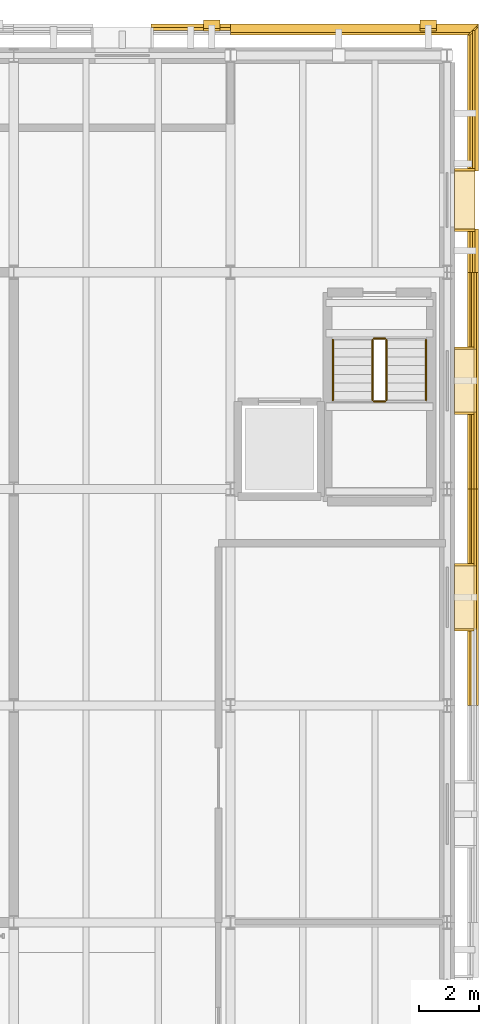
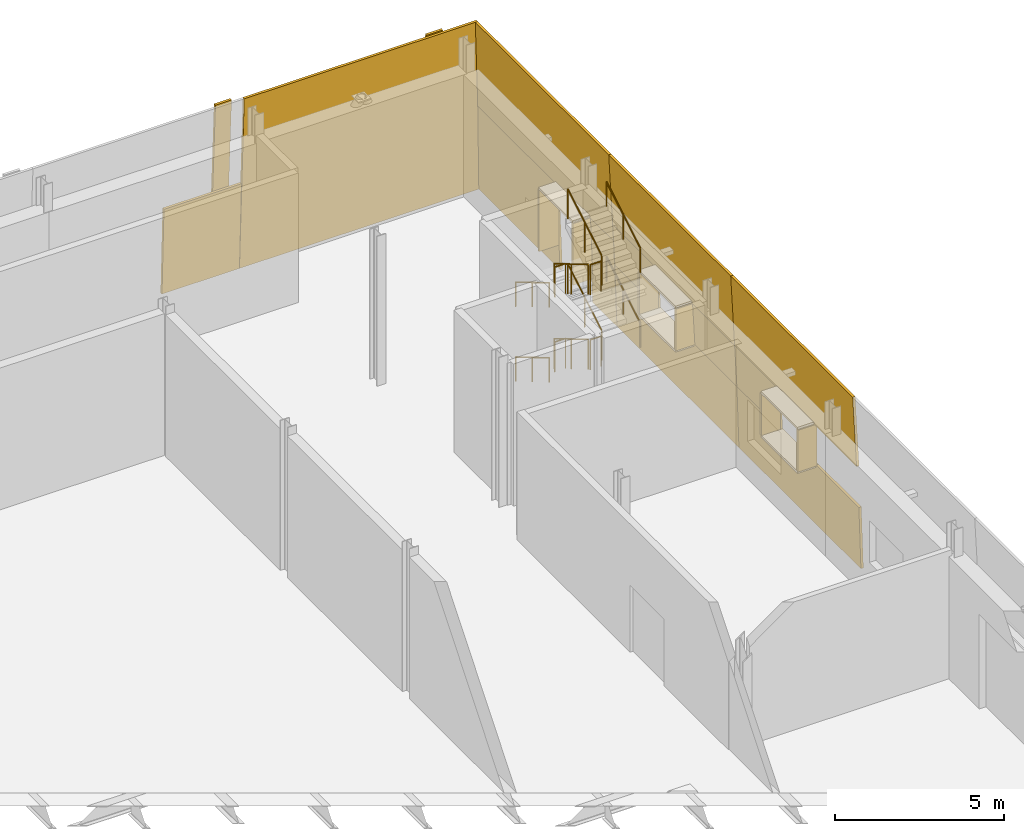
# One storey, part 119 of 120: 25 coverings, 12 railings.
"""IFC4 building model written with IfcOpenShell, lengths in metres."""

from ifc_helpers import new_model, si_unit, direction, frame, origin, origin_2d, place, context, subcontext, project, spatial, polyline, circle, outline, extrude, material, layer, layer_set, type_object, element, save


model = new_model("IFC4")

# Units and contexts
model_context = context("Model", 3, precision=1e-05, world=origin(), true_north=direction((0.0, 1.0)))
body_context = subcontext(model_context, "Body", "Model", "MODEL_VIEW")
ifc_project = project(units=[si_unit("LENGTHUNIT", "METRE"), si_unit("AREAUNIT", "SQUARE_METRE"), si_unit("VOLUMEUNIT", "CUBIC_METRE"), si_unit("PLANEANGLEUNIT", "RADIAN"), si_unit("MASSUNIT", "GRAM", prefix="KILO")], contexts=[model_context])

# Site, building, storey
site_placement = place(None, origin())
site = spatial("IfcSite", under=ifc_project, at=site_placement, CompositionType="ELEMENT")
building_placement = place(site_placement, origin())
building = spatial("IfcBuilding", under=site, at=building_placement, Name="Narikvali Park Central Library", CompositionType="ELEMENT")
storey_placement = place(building_placement, origin())
storey = spatial("IfcBuildingStorey", under=building, at=storey_placement, Name="L00", CompositionType="ELEMENT", Elevation=0.0)

# Coverings
ifc_material_1 = material(Name="White Honed Limestone Cladding", Category="masonry")
ifc_layer_1 = layer(ifc_material_1, 0.0849609375, Name="White Honed Limestone Cladding")
ifc_layer_set_1 = layer_set([ifc_layer_1], Name="White Honed Limestone Cladding")
covering_type_1 = type_object("IfcCoveringType", Name="Battered White Limestone Facade Cladding Panel", PredefinedType="CLADDING", material=ifc_layer_set_1)
covering_1_placement = place(storey_placement, frame((166.639892578125, 93.60009765625, -0.8798828125), z_axis=(0.999503282697, 0.0, 0.031514883448), x_axis=(0.0, 1.0, 0.0)))
element("IfcCovering", 1, at=covering_1_placement, inside=storey, type_object=covering_type_1, Name="V3 L00 E Battered Limestone Spandrel B03", PredefinedType="CLADDING", context=body_context, shape_type="SweptSolid", body=[
    extrude(outline(polyline([(0.0, 0.0), (7.199951171875, 0.0), (7.199951171875, 2.2310886891073425), (0.0, 2.2310886891073425), (0.0, 0.0)])), origin(), (0.0, 0.0, -1.0), 0.0849609375),
])
covering_2_placement = place(storey_placement, frame((166.491455078125, 93.60009765625, 2.85009765625), z_axis=(0.998646209492, 0.0, 0.052016807542), x_axis=(0.0, 1.0, 0.0)))
element("IfcCovering", 2, at=covering_2_placement, inside=storey, type_object=covering_type_1, Name="V3 L00 E Battered Limestone Lintel B03", PredefinedType="CLADDING", context=body_context, shape_type="SweptSolid", body=[
    extrude(outline(polyline([(0.0, 0.0), (7.199951171875, 0.0), (7.199951171875, 2.5532612683689897), (0.0, 2.5532612683689897), (0.0, 0.0)])), origin(), (0.0, 0.0, -1.0), 0.0849609375),
])
covering_3_placement = place(storey_placement, frame((166.569580078125, 98.239990234375, 1.35009765625), z_axis=(0.998646416446, 0.0, 0.05201283419), x_axis=(0.0, 1.0, 0.0)))
element("IfcCovering", 3, at=covering_3_placement, inside=storey, type_object=covering_type_1, Name="V3 L00 E Battered Limestone Jamb Pier R B03", PredefinedType="CLADDING", context=body_context, shape_type="SweptSolid", body=[
    extrude(outline(polyline([(0.0, 0.0), (2.56005859375, 0.0), (2.56005859375, 1.5020331273394072), (0.0, 1.5020331273394072), (0.0, 0.0)])), origin(), (0.0, 0.0, -1.0), 0.0849609375),
])
covering_4_placement = place(storey_placement, frame((166.639892578125, 100.800048828125, -0.8798828125), z_axis=(0.999503282697, 0.0, 0.031514883448), x_axis=(0.0, 1.0, 0.0)))
element("IfcCovering", 4, at=covering_4_placement, inside=storey, type_object=covering_type_1, Name="V3 L00 E Battered Limestone Spandrel B04", PredefinedType="CLADDING", context=body_context, shape_type="SweptSolid", body=[
    extrude(outline(polyline([(0.0, 0.0), (7.199951171875, 0.0), (7.199951171875, 2.2310886891073425), (0.0, 2.2310886891073425), (0.0, 0.0)])), origin(), (0.0, 0.0, -1.0), 0.0849609375),
])
covering_5_placement = place(storey_placement, frame((166.491455078125, 100.800048828125, 2.85009765625), z_axis=(0.998646209492, 0.0, 0.052016807542), x_axis=(0.0, 1.0, 0.0)))
element("IfcCovering", 5, at=covering_5_placement, inside=storey, type_object=covering_type_1, Name="V3 L00 E Battered Limestone Lintel B04", PredefinedType="CLADDING", context=body_context, shape_type="SweptSolid", body=[
    extrude(outline(polyline([(0.0, 0.0), (7.199951171875, 0.0), (7.199951171875, 2.5532612683689897), (0.0, 2.5532612683689897), (0.0, 0.0)])), origin(), (0.0, 0.0, -1.0), 0.0849609375),
])
for number, where, z_axis, x_axis, name in (
    (6, (166.569580078125, 100.800048828125, 1.35009765625), (0.998646416446, 0.0, 0.05201283419), (0.0, 1.0, 0.0), "V3 L00 E Battered Limestone Jamb Pier L B04"),
    (7, (166.569580078125, 105.43994140625, 1.35009765625), (0.998646416446, 0.0, 0.05201283419), (0.0, 1.0, 0.0), "V3 L00 E Battered Limestone Jamb Pier R B04"),
):
    element("IfcCovering", number, at=place(storey_placement, frame(where, z_axis=z_axis, x_axis=x_axis)), inside=storey, type_object=covering_type_1, Name=name, PredefinedType="CLADDING", context=body_context, shape_type="SweptSolid", body=[
        extrude(outline(polyline([(0.0, 0.0), (2.56005859375, 0.0), (2.56005859375, 1.5020331273394072), (0.0, 1.5020331273394072), (0.0, 0.0)])), origin(), (0.0, 0.0, -1.0), 0.0849609375),
    ])
covering_6_placement = place(storey_placement, frame((166.639892578125, 108.0, -0.8798828125), z_axis=(0.999301161828, 0.0, 0.037378977647), x_axis=(0.0, 1.0, 0.0)))
element("IfcCovering", 8, at=covering_6_placement, inside=storey, type_object=covering_type_1, Name="V3 L00 E Battered Portal Pier L B05", PredefinedType="CLADDING", context=body_context, shape_type="SweptSolid", body=[
    extrude(outline(polyline([(0.0, 0.0), (1.43994140625, 0.0), (1.43994140625, 3.1220548579859955), (0.0, 3.1220548579859955), (0.0, 0.0)])), origin(), (0.0, 0.0, -1.0), 0.0849609375),
])
covering_7_placement = place(storey_placement, frame((166.639892578125, 111.360107421875, -0.8798828125), z_axis=(0.999301161828, 0.0, 0.037378977647), x_axis=(0.0, 1.0, 0.0)))
element("IfcCovering", 9, at=covering_7_placement, inside=storey, type_object=covering_type_1, Name="V3 L00 E Battered Portal Pier R B05", PredefinedType="CLADDING", context=body_context, shape_type="SweptSolid", body=[
    extrude(outline(polyline([(0.0, 0.0), (4.794921875, 0.0), (4.67822265625, 3.1220548579859955), (0.0, 3.1220548579859955), (0.0, 0.0)])), origin(), (0.0, 0.0, -1.0), 0.0849609375),
])
covering_8_placement = place(storey_placement, frame((166.523193359375, 108.0, 2.239990234375), z_axis=(0.998646875627, 0.0, 0.052004017165), x_axis=(0.0, 1.0, 0.0)))
element("IfcCovering", 10, at=covering_8_placement, inside=storey, type_object=covering_type_1, Name="V3 L00 E Battered Portal Header B05", PredefinedType="CLADDING", context=body_context, shape_type="SweptSolid", body=[
    extrude(outline(polyline([(0.0, 0.0), (8.038330078125, 0.0), (7.87353515625, 3.1641936569345352), (0.0, 3.1641936569345352), (0.0, 0.0)])), origin(), (0.0, 0.0, -1.0), 0.0849609375),
])
covering_9_placement = place(storey_placement, frame((165.25, 116.3798828125, 0.0), z_axis=(0.0, 0.998646367586, 0.052013772288), x_axis=(-1.0, 0.0, 0.0)))
element("IfcCovering", 11, at=covering_9_placement, inside=storey, type_object=covering_type_1, Name="V3 L00 N Classical Limestone Pilaster B01", PredefinedType="CLADDING", context=body_context, shape_type="SweptSolid", body=[
    extrude(outline(polyline([(0.0, 0.0), (0.550048828125, 0.0), (0.550048828125, 5.407221734360146), (0.0, 5.407221734360146), (0.0, 0.0)])), origin(), (0.0, 0.0, -1.0), 0.0849609375),
])
covering_10_placement = place(storey_placement, frame((166.639892578125, 116.239990234375, -0.8798828125), z_axis=(0.0, 0.99899685139, 0.044780474677), x_axis=(-1.0, 0.0, 0.0)))
element("IfcCovering", 12, at=covering_10_placement, inside=storey, type_object=covering_type_1, Name="V3 L00 N Battered Limestone Panel B01", PredefinedType="CLADDING", context=body_context, shape_type="SweptSolid", body=[
    extrude(outline(polyline([(0.0, 0.0), (8.239990234375, 0.0), (8.239990234375, 6.286091039737179), (0.28125, 6.286091039737179), (0.0, 0.0)])), origin(), (0.0, 0.0, -1.0), 0.0849609375),
])
covering_11_placement = place(storey_placement, frame((158.050048828125, 116.3798828125, 0.0), z_axis=(0.0, 0.998646367586, 0.052013772288), x_axis=(-1.0, 0.0, 0.0)))
element("IfcCovering", 13, at=covering_11_placement, inside=storey, type_object=covering_type_1, Name="V3 L00 N Classical Limestone Pilaster B02", PredefinedType="CLADDING", context=body_context, shape_type="SweptSolid", body=[
    extrude(outline(polyline([(0.0, 0.0), (0.550048828125, 0.0), (0.550048828125, 5.407221734360146), (0.0, 5.407221734360146), (0.0, 0.0)])), origin(), (0.0, 0.0, -1.0), 0.0849609375),
])
covering_12_placement = place(storey_placement, frame((158.39990234375, 116.239990234375, -0.8798828125), z_axis=(0.0, 0.999301161828, 0.037378977647), x_axis=(-1.0, 0.0, 0.0)))
element("IfcCovering", 14, at=covering_12_placement, inside=storey, type_object=covering_type_1, Name="V3 L00 N Battered Portal Pier L B02", PredefinedType="CLADDING", context=body_context, shape_type="SweptSolid", body=[
    extrude(outline(polyline([(0.0, 0.0), (2.639892578125, 0.0), (2.639892578125, 3.122054857985996), (0.0, 3.122054857985996), (0.0, 0.0)])), origin(), (0.0, 0.0, -1.0), 0.0849609375),
])
ifc_layer_2 = layer(ifc_material_1, 0.080078125, Name="White Honed Limestone Cladding")
ifc_layer_set_2 = layer_set([ifc_layer_2], Name="White Honed Limestone Cladding")
covering_type_2 = type_object("IfcCoveringType", Name="Deep Carved White Limestone Window Reveal", PredefinedType="CLADDING", material=ifc_layer_set_2)
covering_13_placement = place(storey_placement, frame((0.0, 0.0, 2.85009765625)))
element("IfcCovering", 15, at=covering_13_placement, inside=storey, type_object=covering_type_2, Name="Deep Stone Reveal Head V3-RVL-L00-E-B03", PredefinedType="CLADDING", context=body_context, shape_type="SweptSolid", body=[
    extrude(outline(polyline([(165.844970703125, 96.1201171875), (165.844970703125, 98.280029296875), (166.491455078125, 98.280029296875), (166.491455078125, 96.1201171875), (165.844970703125, 96.1201171875)])), origin(), (0.0, 0.0, 1.0), 0.079833984375),
])
covering_14_placement = place(storey_placement, frame((0.0, 0.0, 1.27001953125)))
element("IfcCovering", 16, at=covering_14_placement, inside=storey, type_object=covering_type_2, Name="Deep Stone Reveal Sill V3-RVL-L00-E-B03", PredefinedType="CLADDING", context=body_context, shape_type="SweptSolid", body=[
    extrude(outline(polyline([(165.844970703125, 96.1201171875), (165.844970703125, 98.280029296875), (166.569580078125, 98.280029296875), (166.569580078125, 96.1201171875), (165.844970703125, 96.1201171875)])), origin(), (0.0, 0.0, 1.0), 0.080078125),
])
covering_15_placement = place(storey_placement, frame((0.0, 0.0, 1.35009765625)))
element("IfcCovering", 17, at=covering_15_placement, inside=storey, type_object=covering_type_2, Name="Deep Stone Reveal Jamb L V3-RVL-L00-E-B03", PredefinedType="CLADDING", context=body_context, shape_type="SweptSolid", body=[
    extrude(outline(polyline([(165.844970703125, 96.080078125), (165.844970703125, 96.159912109375), (166.491455078125, 96.159912109375), (166.491455078125, 96.080078125), (165.844970703125, 96.080078125)])), origin(), (0.0, 0.0, 1.0), 1.5),
])
covering_16_placement = place(storey_placement, frame((0.0, 0.0, 1.35009765625)))
element("IfcCovering", 18, at=covering_16_placement, inside=storey, type_object=covering_type_2, Name="Deep Stone Reveal Jamb R V3-RVL-L00-E-B03", PredefinedType="CLADDING", context=body_context, shape_type="SweptSolid", body=[
    extrude(outline(polyline([(165.844970703125, 98.239990234375), (165.844970703125, 98.320068359375), (166.491455078125, 98.320068359375), (166.491455078125, 98.239990234375), (165.844970703125, 98.239990234375)])), origin(), (0.0, 0.0, 1.0), 1.5),
])
covering_17_placement = place(storey_placement, frame((0.0, 0.0, 2.85009765625)))
element("IfcCovering", 19, at=covering_17_placement, inside=storey, type_object=covering_type_2, Name="Deep Stone Reveal Head V3-RVL-L00-E-B04", PredefinedType="CLADDING", context=body_context, shape_type="SweptSolid", body=[
    extrude(outline(polyline([(165.844970703125, 103.320068359375), (165.844970703125, 105.47998046875), (166.491455078125, 105.47998046875), (166.491455078125, 103.320068359375), (165.844970703125, 103.320068359375)])), origin(), (0.0, 0.0, 1.0), 0.079833984375),
])
covering_18_placement = place(storey_placement, frame((0.0, 0.0, 1.27001953125)))
element("IfcCovering", 20, at=covering_18_placement, inside=storey, type_object=covering_type_2, Name="Deep Stone Reveal Sill V3-RVL-L00-E-B04", PredefinedType="CLADDING", context=body_context, shape_type="SweptSolid", body=[
    extrude(outline(polyline([(165.844970703125, 103.320068359375), (165.844970703125, 105.47998046875), (166.569580078125, 105.47998046875), (166.569580078125, 103.320068359375), (165.844970703125, 103.320068359375)])), origin(), (0.0, 0.0, 1.0), 0.080078125),
])
covering_19_placement = place(storey_placement, frame((0.0, 0.0, 1.35009765625)))
element("IfcCovering", 21, at=covering_19_placement, inside=storey, type_object=covering_type_2, Name="Deep Stone Reveal Jamb L V3-RVL-L00-E-B04", PredefinedType="CLADDING", context=body_context, shape_type="SweptSolid", body=[
    extrude(outline(polyline([(165.844970703125, 103.280029296875), (165.844970703125, 103.360107421875), (166.491455078125, 103.360107421875), (166.491455078125, 103.280029296875), (165.844970703125, 103.280029296875)])), origin(), (0.0, 0.0, 1.0), 1.5),
])
covering_20_placement = place(storey_placement, frame((0.0, 0.0, 1.35009765625)))
element("IfcCovering", 22, at=covering_20_placement, inside=storey, type_object=covering_type_2, Name="Deep Stone Reveal Jamb R V3-RVL-L00-E-B04", PredefinedType="CLADDING", context=body_context, shape_type="SweptSolid", body=[
    extrude(outline(polyline([(165.844970703125, 105.43994140625), (165.844970703125, 105.52001953125), (166.491455078125, 105.52001953125), (166.491455078125, 105.43994140625), (165.844970703125, 105.43994140625)])), origin(), (0.0, 0.0, 1.0), 1.5),
])
covering_21_placement = place(storey_placement, frame((0.0, 0.0, 2.239990234375)))
element("IfcCovering", 23, at=covering_21_placement, inside=storey, type_object=covering_type_2, Name="Deep Stone Reveal Head V3-RVL-L00-E-B05", PredefinedType="CLADDING", context=body_context, shape_type="SweptSolid", body=[
    extrude(outline(polyline([(165.844970703125, 109.39990234375), (165.844970703125, 111.39990234375), (166.523193359375, 111.39990234375), (166.523193359375, 109.39990234375), (165.844970703125, 109.39990234375)])), origin(), (0.0, 0.0, 1.0), 0.080078125),
])
covering_22_placement = place(storey_placement, frame((0.0, 0.0, 0.02001953125)))
element("IfcCovering", 24, at=covering_22_placement, inside=storey, type_object=covering_type_2, Name="Deep Stone Reveal Jamb L V3-RVL-L00-E-B05", PredefinedType="CLADDING", context=body_context, shape_type="SweptSolid", body=[
    extrude(outline(polyline([(165.844970703125, 109.360107421875), (165.844970703125, 109.43994140625), (166.523193359375, 109.43994140625), (166.523193359375, 109.360107421875), (165.844970703125, 109.360107421875)])), origin(), (0.0, 0.0, 1.0), 2.219970703125),
])
covering_23_placement = place(storey_placement, frame((0.0, 0.0, 0.02001953125)))
element("IfcCovering", 25, at=covering_23_placement, inside=storey, type_object=covering_type_2, Name="Deep Stone Reveal Jamb R V3-RVL-L00-E-B05", PredefinedType="CLADDING", context=body_context, shape_type="SweptSolid", body=[
    extrude(outline(polyline([(165.844970703125, 111.360107421875), (165.844970703125, 111.43994140625), (166.523193359375, 111.43994140625), (166.523193359375, 111.360107421875), (165.844970703125, 111.360107421875)])), origin(), (0.0, 0.0, 1.0), 2.219970703125),
])

# Railings
ifc_material_2 = material(Name="Brushed Stainless Steel S355", Category="steel")
ifc_layer_3 = layer(ifc_material_2, 0.044921875, Name="Brushed Stainless Steel S355")
ifc_layer_set_3 = layer_set([ifc_layer_3], Name="Brushed Stainless Steel S355")
railing_type_1 = type_object("IfcRailingType", Name="Stair Tubular Steel Handrail 900", PredefinedType="HANDRAIL", material=ifc_layer_set_3)
railing_1_placement = place(storey_placement, frame((161.800048828125, 105.75, 0.168701171875)))
element("IfcRailing", 26, at=railing_1_placement, inside=storey, type_object=railing_type_1, Name="L00 ST-06 stair handrail 1", PredefinedType="HANDRAIL", context=body_context, shape_type="SweptSolid", body=[
    extrude(circle(Radius=0.02392578125, at=origin_2d()), frame((0.0, 0.0, 0.8759765625), z_axis=(0.0, -0.860460811416, 0.50951662585), x_axis=(1.0, 0.0, 0.0)), (0.0, 0.0, 1.0), 2.318603515625),
    extrude(circle(Radius=0.02099609375, at=origin_2d()), origin(), (0.0, 0.0, 1.0), 0.851806640625),
    extrude(circle(Radius=0.02099609375, at=origin_2d()), frame((0.0, -0.99755859375, 0.5908203125)), (0.0, 0.0, 1.0), 0.851806640625),
    extrude(circle(Radius=0.02099609375, at=origin_2d()), frame((0.0, -1.9951171875, 1.181396484375)), (0.0, 0.0, 1.0), 0.851806640625),
])
railing_2_placement = place(storey_placement, frame((164.89990234375, 103.7548828125, 1.518798828125)))
element("IfcRailing", 27, at=railing_2_placement, inside=storey, type_object=railing_type_1, Name="L00 ST-06 stair handrail 2", PredefinedType="HANDRAIL", context=body_context, shape_type="SweptSolid", body=[
    extrude(circle(Radius=0.02392578125, at=origin_2d()), frame((0.0, 0.0, 0.8759765625), z_axis=(0.0, 0.860506973166, 0.509438660815), x_axis=(-1.0, 0.0, 0.0)), (0.0, 0.0, 1.0), 2.318603515625),
    extrude(circle(Radius=0.02099609375, at=origin_2d()), origin(), (0.0, 0.0, 1.0), 0.851806640625),
    extrude(circle(Radius=0.02099609375, at=origin_2d()), frame((0.0, 0.99755859375, 0.590576171875)), (0.0, 0.0, 1.0), 0.851806640625),
    extrude(circle(Radius=0.02099609375, at=origin_2d()), frame((0.0, 1.9951171875, 1.18115234375)), (0.0, 0.0, 1.0), 0.851806640625),
])
railing_3_placement = place(storey_placement, frame((161.800048828125, 105.75, 2.86865234375)))
element("IfcRailing", 28, at=railing_3_placement, inside=storey, type_object=railing_type_1, Name="L00 ST-06 stair handrail 3", PredefinedType="HANDRAIL", context=body_context, shape_type="SweptSolid", body=[
    extrude(circle(Radius=0.02392578125, at=origin_2d()), frame((0.0, 0.0, 0.8759765625), z_axis=(0.0, -0.860460811416, 0.50951662585), x_axis=(1.0, 0.0, 0.0)), (0.0, 0.0, 1.0), 2.318603515625),
    extrude(circle(Radius=0.02099609375, at=origin_2d()), origin(), (0.0, 0.0, 1.0), 0.851806640625),
    extrude(circle(Radius=0.02099609375, at=origin_2d()), frame((0.0, -0.99755859375, 0.5908203125)), (0.0, 0.0, 1.0), 0.851806640625),
    extrude(circle(Radius=0.02099609375, at=origin_2d()), frame((0.0, -1.9951171875, 1.181396484375)), (0.0, 0.0, 1.0), 0.851806640625),
])
railing_4_placement = place(storey_placement, frame((164.89990234375, 103.7548828125, 4.21875)))
element("IfcRailing", 29, at=railing_4_placement, inside=storey, type_object=railing_type_1, Name="L00 ST-06 stair handrail 4", PredefinedType="HANDRAIL", context=body_context, shape_type="SweptSolid", body=[
    extrude(circle(Radius=0.02392578125, at=origin_2d()), frame((0.0, 0.0, 0.8759765625), z_axis=(0.0, 0.860506973166, 0.509438660815), x_axis=(-1.0, 0.0, 0.0)), (0.0, 0.0, 1.0), 2.318603515625),
    extrude(circle(Radius=0.02099609375, at=origin_2d()), origin(), (0.0, 0.0, 1.0), 0.851806640625),
    extrude(circle(Radius=0.02099609375, at=origin_2d()), frame((0.0, 0.99755859375, 0.590576171875)), (0.0, 0.0, 1.0), 0.851806640625),
    extrude(circle(Radius=0.02099609375, at=origin_2d()), frame((0.0, 1.9951171875, 1.18115234375)), (0.0, 0.0, 1.0), 0.851806640625),
])
ifc_material_3 = material(Name="Powder-Coated Steel S275", Category="steel")
ifc_layer_4 = layer(ifc_material_3, 0.050048828125, Name="Powder-Coated Steel S275")
ifc_layer_set_4 = layer_set([ifc_layer_4], Name="Powder-Coated Steel S275")
railing_type_2 = type_object("IfcRailingType", Name="Stair Well Steel Guardrail 1100", PredefinedType="GUARDRAIL", material=ifc_layer_set_4)
railing_5_placement = place(storey_placement, frame((163.1201171875, 105.75, 0.168701171875)))
element("IfcRailing", 30, at=railing_5_placement, inside=storey, type_object=railing_type_2, Name="L00 ST-06 stair guard 1", PredefinedType="GUARDRAIL", context=body_context, shape_type="SweptSolid", body=[
    extrude(circle(Radius=0.02392578125, at=origin_2d()), frame((0.0, 0.0, 1.076171875), z_axis=(0.0, -0.860460811416, 0.50951662585), x_axis=(1.0, 0.0, 0.0)), (0.0, 0.0, 1.0), 2.318603515625),
    extrude(circle(Radius=0.02099609375, at=origin_2d()), origin(), (0.0, 0.0, 1.0), 1.052001953125),
    extrude(circle(Radius=0.02099609375, at=origin_2d()), frame((0.0, -0.99755859375, 0.5908203125)), (0.0, 0.0, 1.0), 1.052001953125),
    extrude(circle(Radius=0.02099609375, at=origin_2d()), frame((0.0, -1.9951171875, 1.181396484375)), (0.0, 0.0, 1.0), 1.052001953125),
])
railing_6_placement = place(storey_placement, frame((163.169921875, 103.705078125, 1.35009765625)))
element("IfcRailing", 31, at=railing_6_placement, inside=storey, type_object=railing_type_2, Name="L00 ST-06 stair guard 2", PredefinedType="GUARDRAIL", context=body_context, shape_type="SweptSolid", body=[
    extrude(circle(Radius=0.02392578125, at=origin_2d()), frame((0.0, 0.0, 1.076171875), z_axis=(1.0, 0.0, 0.0), x_axis=(0.0, 1.0, 0.0)), (0.0, 0.0, 1.0), 0.360107421875),
    extrude(circle(Radius=0.02099609375, at=origin_2d()), origin(), (0.0, 0.0, 1.0), 1.052001953125),
    extrude(circle(Radius=0.02099609375, at=origin_2d()), frame((0.360107421875, 0.0, 0.0)), (0.0, 0.0, 1.0), 1.052001953125),
])
railing_7_placement = place(storey_placement, frame((163.580078125, 103.7548828125, 1.518798828125)))
element("IfcRailing", 32, at=railing_7_placement, inside=storey, type_object=railing_type_2, Name="L00 ST-06 stair guard 3", PredefinedType="GUARDRAIL", context=body_context, shape_type="SweptSolid", body=[
    extrude(circle(Radius=0.02392578125, at=origin_2d()), frame((0.0, 0.0, 1.076171875), z_axis=(0.0, 0.860506973166, 0.509438660815), x_axis=(-1.0, 0.0, 0.0)), (0.0, 0.0, 1.0), 2.318603515625),
    extrude(circle(Radius=0.02099609375, at=origin_2d()), origin(), (0.0, 0.0, 1.0), 1.052001953125),
    extrude(circle(Radius=0.02099609375, at=origin_2d()), frame((0.0, 0.99755859375, 0.590576171875)), (0.0, 0.0, 1.0), 1.052001953125),
    extrude(circle(Radius=0.02099609375, at=origin_2d()), frame((0.0, 1.9951171875, 1.18115234375)), (0.0, 0.0, 1.0), 1.052001953125),
])
railing_8_placement = place(storey_placement, frame((163.169921875, 105.800048828125, 2.699951171875)))
element("IfcRailing", 33, at=railing_8_placement, inside=storey, type_object=railing_type_2, Name="L00 ST-06 stair guard 4", PredefinedType="GUARDRAIL", context=body_context, shape_type="SweptSolid", body=[
    extrude(circle(Radius=0.02392578125, at=origin_2d()), frame((0.0, 0.0, 1.076171875), z_axis=(1.0, 0.0, 0.0), x_axis=(0.0, 1.0, 0.0)), (0.0, 0.0, 1.0), 0.360107421875),
    extrude(circle(Radius=0.02099609375, at=origin_2d()), origin(), (0.0, 0.0, 1.0), 1.052001953125),
    extrude(circle(Radius=0.02099609375, at=origin_2d()), frame((0.360107421875, 0.0, 0.0)), (0.0, 0.0, 1.0), 1.052001953125),
])
railing_9_placement = place(storey_placement, frame((163.1201171875, 105.75, 2.86865234375)))
element("IfcRailing", 34, at=railing_9_placement, inside=storey, type_object=railing_type_2, Name="L00 ST-06 stair guard 5", PredefinedType="GUARDRAIL", context=body_context, shape_type="SweptSolid", body=[
    extrude(circle(Radius=0.02392578125, at=origin_2d()), frame((0.0, 0.0, 1.076171875), z_axis=(0.0, -0.860460811416, 0.50951662585), x_axis=(1.0, 0.0, 0.0)), (0.0, 0.0, 1.0), 2.318603515625),
    extrude(circle(Radius=0.02099609375, at=origin_2d()), origin(), (0.0, 0.0, 1.0), 1.052001953125),
    extrude(circle(Radius=0.02099609375, at=origin_2d()), frame((0.0, -0.99755859375, 0.5908203125)), (0.0, 0.0, 1.0), 1.052001953125),
    extrude(circle(Radius=0.02099609375, at=origin_2d()), frame((0.0, -1.9951171875, 1.181396484375)), (0.0, 0.0, 1.0), 1.052001953125),
])
railing_10_placement = place(storey_placement, frame((163.169921875, 103.705078125, 4.050048828125)))
element("IfcRailing", 35, at=railing_10_placement, inside=storey, type_object=railing_type_2, Name="L00 ST-06 stair guard 6", PredefinedType="GUARDRAIL", context=body_context, shape_type="SweptSolid", body=[
    extrude(circle(Radius=0.02392578125, at=origin_2d()), frame((0.0, 0.0, 1.076171875), z_axis=(1.0, 0.0, 0.0), x_axis=(0.0, 1.0, 0.0)), (0.0, 0.0, 1.0), 0.360107421875),
    extrude(circle(Radius=0.02099609375, at=origin_2d()), origin(), (0.0, 0.0, 1.0), 1.052001953125),
    extrude(circle(Radius=0.02099609375, at=origin_2d()), frame((0.360107421875, 0.0, 0.0)), (0.0, 0.0, 1.0), 1.052001953125),
])
railing_11_placement = place(storey_placement, frame((163.580078125, 103.7548828125, 4.21875)))
element("IfcRailing", 36, at=railing_11_placement, inside=storey, type_object=railing_type_2, Name="L00 ST-06 stair guard 7", PredefinedType="GUARDRAIL", context=body_context, shape_type="SweptSolid", body=[
    extrude(circle(Radius=0.02392578125, at=origin_2d()), frame((0.0, 0.0, 1.076171875), z_axis=(0.0, 0.860506973166, 0.509438660815), x_axis=(-1.0, 0.0, 0.0)), (0.0, 0.0, 1.0), 2.318603515625),
    extrude(circle(Radius=0.02099609375, at=origin_2d()), origin(), (0.0, 0.0, 1.0), 1.052001953125),
    extrude(circle(Radius=0.02099609375, at=origin_2d()), frame((0.0, 0.99755859375, 0.590576171875)), (0.0, 0.0, 1.0), 1.052001953125),
    extrude(circle(Radius=0.02099609375, at=origin_2d()), frame((0.0, 1.9951171875, 1.18115234375)), (0.0, 0.0, 1.0), 1.052001953125),
])
railing_12_placement = place(storey_placement, frame((163.169921875, 105.800048828125, 0.0)))
element("IfcRailing", 37, at=railing_12_placement, inside=storey, type_object=railing_type_2, Name="L00 ST-06 stair guard 8", PredefinedType="GUARDRAIL", context=body_context, shape_type="SweptSolid", body=[
    extrude(circle(Radius=0.02392578125, at=origin_2d()), frame((0.0, 0.0, 1.076171875), z_axis=(1.0, 0.0, 0.0), x_axis=(0.0, 1.0, 0.0)), (0.0, 0.0, 1.0), 0.360107421875),
    extrude(circle(Radius=0.02099609375, at=origin_2d()), origin(), (0.0, 0.0, 1.0), 1.052001953125),
    extrude(circle(Radius=0.02099609375, at=origin_2d()), frame((0.360107421875, 0.0, 0.0)), (0.0, 0.0, 1.0), 1.052001953125),
])

save(model, "model.ifc")
